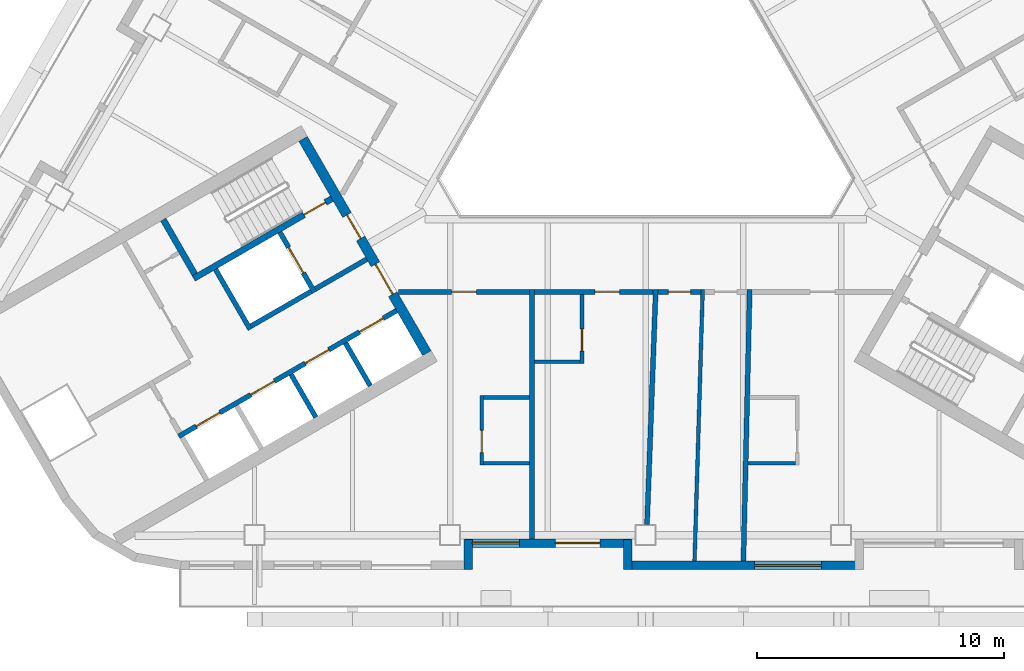
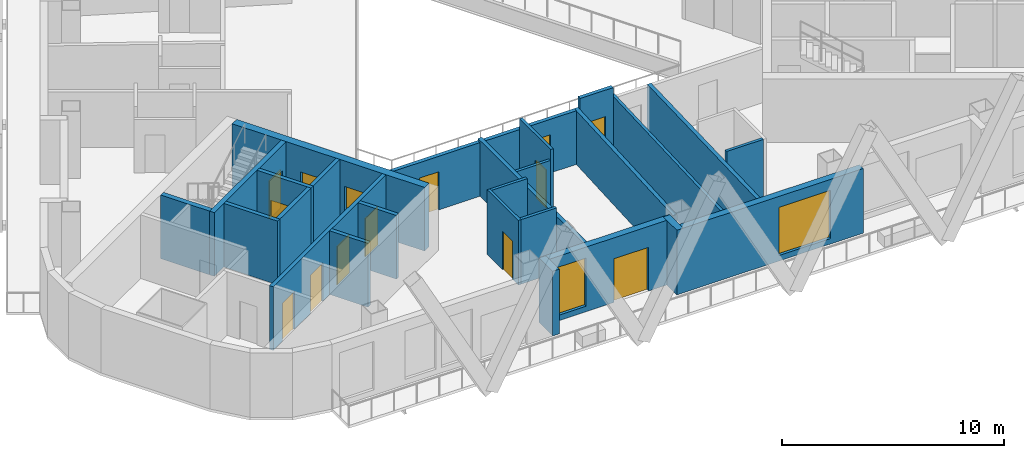
# One storey, part 3 of 14: 27 walls, 14 doors, 2 windows, 16 openings.
"""IFC4 building model written with IfcOpenShell, lengths in metres."""

import ifcopenshell
import ifcopenshell.guid

model = None  # the IFC model being written
_history = None  # IfcOwnerHistory: only IFC2X3 demands one
_inside = {}  # id of a spatial element -> (the spatial element, [elements in it])
_under = {}  # id of a project, library or spatial element -> (it, [spatial elements below it])
_declared = {}  # id of a project -> (the project, [libraries it declares])
_typed = {}  # id of a type object -> (the type object, [elements of that type])
_made_of = {}  # id of a material, layer set ... -> (it, [elements and type objects made of it])


def new_model(schema):
    """Start an empty IFC model of exactly this schema.

    Asked for "IFC4X3", IfcOpenShell would pick the latest addendum, in which some entities
    have other attributes; the version numbers below select the first issue.
    IFC2X3 requires an IfcOwnerHistory on every rooted entity: one is made here for all.
    """
    global model, _history
    if schema == "IFC4X3":
        model = ifcopenshell.file(schema_version=(4, 3, 0, 0))
    else:
        model = ifcopenshell.file(schema=schema)
    _inside.clear()
    _under.clear()
    _declared.clear()
    _typed.clear()
    _made_of.clear()
    _history = None
    if model.schema == "IFC2X3":
        org = make("IfcOrganization", Name="unknown")
        user = make(
            "IfcPersonAndOrganization",
            ThePerson=make("IfcPerson", FamilyName="unknown"),
            TheOrganization=org,
        )
        app = make(
            "IfcApplication",
            ApplicationDeveloper=org,
            Version="unknown",
            ApplicationFullName="unknown",
            ApplicationIdentifier="unknown",
        )
        _history = make(
            "IfcOwnerHistory",
            OwningUser=user,
            OwningApplication=app,
            ChangeAction="ADDED",
            CreationDate=0,
        )
    return model


def make(cls, **values):
    """One entity of the class cls with the attributes given. An attribute that is None is left unset."""
    return model.create_entity(
        cls, **{name: value for name, value in values.items() if value is not None}
    )


def rooted(cls, **values):
    """An entity with a GlobalId (a new one), such as an element, a storey or a relation."""
    return make(cls, GlobalId=ifcopenshell.guid.new(), OwnerHistory=_history, **values)


def si_unit(unit_type, name, prefix=None):
    """IfcSIUnit, for example si_unit("LENGTHUNIT", "METRE", prefix="MILLI")."""
    return make("IfcSIUnit", UnitType=unit_type, Prefix=prefix, Name=name)


def assignment(units):
    """IfcUnitAssignment: the units of a project."""
    return None if units is None else make("IfcUnitAssignment", Units=units)


def point(xyz):
    """IfcCartesianPoint."""
    return None if xyz is None else make("IfcCartesianPoint", Coordinates=xyz)


def direction(xyz):
    """IfcDirection."""
    return None if xyz is None else make("IfcDirection", DirectionRatios=xyz)


def frame(location, z_axis=None, x_axis=None):
    """IfcAxis2Placement3D, a coordinate frame: its origin and axes. An axis left out is left unset."""
    return make(
        "IfcAxis2Placement3D",
        Location=point(location),
        Axis=direction(z_axis),
        RefDirection=direction(x_axis),
    )


def frame_2d(location, x_axis=None):
    """IfcAxis2Placement2D, a coordinate frame in the plane: its origin and x axis."""
    return make(
        "IfcAxis2Placement2D", Location=point(location), RefDirection=direction(x_axis)
    )


def origin():
    """The frame at (0, 0, 0) with its axes left unset."""
    return frame((0.0, 0.0, 0.0))


def place(relative_to, where):
    """IfcLocalPlacement: puts the frame where relative to a parent placement (None: the world)."""
    return make(
        "IfcLocalPlacement", PlacementRelTo=relative_to, RelativePlacement=where
    )


def context(
    kind, dimensions, precision=None, world=None, true_north=None, identifier=None
):
    """IfcGeometricRepresentationContext, for example the 3D "Model" context."""
    return make(
        "IfcGeometricRepresentationContext",
        ContextIdentifier=identifier,
        ContextType=kind,
        CoordinateSpaceDimension=dimensions,
        Precision=precision,
        WorldCoordinateSystem=world,
        TrueNorth=true_north,
    )


def subcontext(parent, identifier, kind, view, scale=None):
    """IfcGeometricRepresentationSubContext, for example "Body" below "Model"."""
    return make(
        "IfcGeometricRepresentationSubContext",
        ContextIdentifier=identifier,
        ContextType=kind,
        ParentContext=parent,
        TargetScale=scale,
        TargetView=view,
    )


def project(units=None, contexts=None):
    """IfcProject with its units and contexts."""
    return rooted(
        "IfcProject",
        Name="project",
        RepresentationContexts=contexts,
        UnitsInContext=assignment(units),
    )


def spatial(cls, under=None, at=None, **own):
    """A site, building, storey or space (cls), placed at a placement, below another one or the project."""
    s = rooted(cls, ObjectPlacement=at, **own)
    if under is not None:
        _under.setdefault(under.id(), (under, []))[1].append(s)
    return s


def profile(cls, at=None, kind="AREA", **sizes):
    """A parametric profile (cls). Its sizes go by their IFC names, for example OverallWidth=200.0."""
    return make(cls, ProfileType=kind, Position=at, **sizes)


def rectangle(**sizes):
    """IfcRectangleProfileDef."""
    return profile("IfcRectangleProfileDef", **sizes)


def extrude(swept, where, along, depth):
    """IfcExtrudedAreaSolid: the profile swept, set in the frame where, extruded along a direction by depth."""
    return make(
        "IfcExtrudedAreaSolid",
        SweptArea=swept,
        Position=where,
        ExtrudedDirection=direction(along),
        Depth=depth,
    )


def shape(context_of_items, identifier, shape_type, items):
    """IfcShapeRepresentation: the items that make up one representation, for example the "Body"."""
    return make(
        "IfcShapeRepresentation",
        ContextOfItems=context_of_items,
        RepresentationIdentifier=identifier,
        RepresentationType=shape_type,
        Items=items,
    )


def material(Name=None, Category=None):
    """IfcMaterial."""
    return make("IfcMaterial", Name=Name, Category=Category)


def layer(
    of_material, thickness, ventilated=None, Name=None, Category=None, Priority=None
):
    """IfcMaterialLayer: one layer of a wall or slab, of a material (None: an air gap)."""
    return make(
        "IfcMaterialLayer",
        Material=of_material,
        LayerThickness=thickness,
        IsVentilated=ventilated,
        Name=Name,
        Category=Category,
        Priority=Priority,
    )


def layer_set(layers, Name=None):
    """IfcMaterialLayerSet."""
    return make("IfcMaterialLayerSet", MaterialLayers=layers, LayerSetName=Name)


def made_of(thing, what):
    """Note that an element or type object is made of a material, layer set ...; save() writes the relation."""
    if what is not None:
        _made_of.setdefault(what.id(), (what, []))[1].append(thing)
    return thing


def type_object(cls, material=None, **own):
    """A type object (cls), such as IfcWallType, which elements share."""
    return made_of(rooted(cls, **own), material)


def element(
    cls,
    number,
    at=None,
    inside=None,
    cuts=None,
    type_object=None,
    material=None,
    context=None,
    identifier="Body",
    shape_type=None,
    held_by="IfcProductDefinitionShape",
    body=None,
    shapes=None,
    **own,
):
    """One element of the class cls, such as IfcWall. Its Tag is "e" and its number.

    at: its placement. inside: the storey or other place that contains it. cuts: it is an
    opening in that element (IfcRelVoidsElement). A single representation is given by context,
    identifier, shape_type and body (its items); several are given by shapes. held_by: the class
    of the entity that holds the representations. save() writes the other relations.
    """
    e = rooted(cls, Tag="e%d" % number, ObjectPlacement=at, **own)
    if body is not None:
        shapes = [shape(context, identifier, shape_type, body)]
    if shapes is not None:
        e.Representation = make(held_by, Representations=shapes)
    if inside is not None:
        _inside.setdefault(inside.id(), (inside, []))[1].append(e)
    if cuts is not None:
        rooted(
            "IfcRelVoidsElement", RelatingBuildingElement=cuts, RelatedOpeningElement=e
        )
    if type_object is not None:
        _typed.setdefault(type_object.id(), (type_object, []))[1].append(e)
    return made_of(e, material)


def fill(opening, filler):
    """IfcRelFillsElement: the door or window that sits in an opening."""
    return rooted(
        "IfcRelFillsElement",
        RelatingOpeningElement=opening,
        RelatedBuildingElement=filler,
    )


def aggregate(whole, parts):
    """IfcRelAggregates: a whole, such as a stair, and the parts it consists of."""
    return rooted("IfcRelAggregates", RelatingObject=whole, RelatedObjects=parts)


def save(model, path):
    """Write the relations noted so far, then the file.

    IfcRelAggregates (storeys below a building ...), IfcRelContainedInSpatialStructure (elements
    in a storey), IfcRelDefinesByType, IfcRelAssociatesMaterial and IfcRelDeclares: one each for
    every whole, place, type object, material and project.
    """
    for whole, parts in _under.values():
        aggregate(whole, parts)
    for where, things in _inside.values():
        rooted(
            "IfcRelContainedInSpatialStructure",
            RelatedElements=things,
            RelatingStructure=where,
        )
    for kind, things in _typed.values():
        rooted("IfcRelDefinesByType", RelatedObjects=things, RelatingType=kind)
    for what, things in _made_of.values():
        rooted("IfcRelAssociatesMaterial", RelatedObjects=things, RelatingMaterial=what)
    for by, libraries in _declared.values():
        rooted("IfcRelDeclares", RelatingContext=by, RelatedDefinitions=libraries)
    model.write(path)


model = new_model("IFC4")

# Units and contexts
model_context = context("Model", 3, precision=1e-05, world=origin(), true_north=direction((0.0, 1.0)))
body_context = subcontext(model_context, "Body", "Model", "MODEL_VIEW")
ifc_project = project(units=[si_unit("LENGTHUNIT", "METRE"), si_unit("AREAUNIT", "SQUARE_METRE"), si_unit("VOLUMEUNIT", "CUBIC_METRE"), si_unit("PLANEANGLEUNIT", "RADIAN"), si_unit("MASSUNIT", "GRAM", prefix="KILO")], contexts=[model_context])

# Site, building, storey
site_placement = place(None, origin())
site = spatial("IfcSite", under=ifc_project, at=site_placement, CompositionType="ELEMENT")
building_placement = place(site_placement, origin())
building = spatial("IfcBuilding", under=site, at=building_placement, Name="Apuvela Tower Hotel", CompositionType="ELEMENT")
storey_placement = place(building_placement, frame((0.0, 0.0, 154.0)))
storey = spatial("IfcBuildingStorey", under=building, at=storey_placement, Name="L36", CompositionType="ELEMENT", Elevation=154.0)

# Wall, openings, doors
ifc_material_1 = material(Name="Concrete C50/60", Category="concrete")
ifc_layer_1 = layer(ifc_material_1, 0.39990234375)
ifc_layer_set_1 = layer_set([ifc_layer_1], Name="COR-WALL-CORE-400")
wall_type_1 = type_object("IfcWallType", Name="COR-WALL-CORE-400", PredefinedType="SHEAR", material=ifc_layer_set_1)
wall_1_placement = place(storey_placement, frame((-13.844970703125, -2.219970703125, 0.0), z_axis=(0.0, 0.0, 1.0), x_axis=(0.500004234368, -0.866022959057, 0.0)))
wall_1 = element("IfcWall", 1, at=wall_1_placement, inside=storey, type_object=wall_type_1, Name="Core wall SW", PredefinedType="SHEAR", context=body_context, shape_type="SweptSolid", body=[
    extrude(rectangle(XDim=10.0, YDim=0.39990234375, at=frame_2d((5.0, 0.0))), origin(), (0.0, 0.0, 1.0), 3.5),
])
opening_1_placement = place(wall_1_placement, frame((3.550048828125, 0.0, 0.0)))
opening_1 = element("IfcOpeningElement", 2, at=opening_1_placement, cuts=wall_1, Name="Opening W-FD", PredefinedType="OPENING", context=body_context, shape_type="SweptSolid", body=[
    extrude(rectangle(XDim=1.10009765625, YDim=2.10009765625, at=frame_2d((0.550048828125, 1.050048828125))), frame((0.0, 0.2099609375, 0.0), z_axis=(0.0, -1.0, 0.0), x_axis=(1.0, 0.0, 0.0)), (0.0, 0.0, 1.0), 0.419921875),
])
opening_2_placement = place(wall_1_placement, frame((5.85009765625, 0.0, 0.0)))
opening_2 = element("IfcOpeningElement", 3, at=opening_2_placement, cuts=wall_1, Name="Opening W-GD", PredefinedType="OPENING", context=body_context, shape_type="SweptSolid", body=[
    extrude(rectangle(XDim=1.39990234375, YDim=2.10009765625, at=frame_2d((0.699951171875, 1.050048828125))), frame((0.0, 0.2099609375, 0.0), z_axis=(0.0, -1.0, 0.0), x_axis=(1.0, 0.0, 0.0)), (0.0, 0.0, 1.0), 0.419921875),
])
ifc_material_2 = material(Name="Steel fire door, powder coated", Category="steel")
door_type_1 = type_object("IfcDoorType", Name="COR-FD-1100", OperationType="NOTDEFINED", PredefinedType="DOOR", material=ifc_material_2)
door_1_placement = place(opening_1_placement, frame((1.10009765625, 0.0, 0.0), z_axis=(0.0, 0.0, 1.0), x_axis=(-1.0, 0.0, 0.0)))
door_1 = element("IfcDoor", 4, at=door_1_placement, inside=storey, type_object=door_type_1, Name="Firefighting lobby door W-FD", OperationType="SINGLE_SWING_LEFT", OverallHeight=2.10009765625, OverallWidth=1.10009765625, PredefinedType="DOOR", context=body_context, shape_type="SweptSolid", body=[
    extrude(rectangle(XDim=1.10009765625, YDim=2.10009765625, at=frame_2d((0.550048828125, 1.050048828125))), frame((0.0, 0.02490234375, 0.0), z_axis=(0.0, -1.0, 0.0), x_axis=(1.0, 0.0, 0.0)), (0.0, 0.0, 1.0), 0.050048828125),
])
fill(opening_1, door_1)
ifc_material_3 = material(Name="Glazed steel fire door", Category="steel")
door_type_2 = type_object("IfcDoorType", Name="COR-GD-1400", OperationType="DOUBLE_DOOR_SINGLE_SWING", PredefinedType="DOOR", material=ifc_material_3)
door_2_placement = place(opening_2_placement, frame((1.39990234375, 0.0, 0.0), z_axis=(0.0, 0.0, 1.0), x_axis=(-1.0, 0.0, 0.0)))
door_2 = element("IfcDoor", 5, at=door_2_placement, inside=storey, type_object=door_type_2, Name="Lift lobby door W-GD", OperationType="DOUBLE_DOOR_SINGLE_SWING", OverallHeight=2.10009765625, OverallWidth=1.39990234375, PredefinedType="DOOR", context=body_context, shape_type="SweptSolid", body=[
    extrude(rectangle(XDim=1.39990234375, YDim=2.10009765625, at=frame_2d((0.699951171875, 1.050048828125))), frame((0.0, 0.02490234375, 0.0), z_axis=(0.0, -1.0, 0.0), x_axis=(1.0, 0.0, 0.0)), (0.0, 0.0, 1.0), 0.050048828125),
])
fill(opening_2, door_2)

# Wall
ifc_layer_2 = layer(ifc_material_1, 0.199951171875)
ifc_layer_set_2 = layer_set([ifc_layer_2], Name="COR-WALL-SHAFT-200")
wall_type_2 = type_object("IfcWallType", Name="COR-WALL-SHAFT-200", PredefinedType="SHEAR", material=ifc_layer_set_2)
wall_2_placement = place(storey_placement, frame((-17.38134765625, -7.49462890625, 0.0), z_axis=(0.0, 0.0, 1.0), x_axis=(0.500011755427, -0.866018616679, 0.0)))
element("IfcWall", 6, at=wall_2_placement, inside=storey, type_object=wall_type_2, Name="Shaft wall SW", PredefinedType="SHEAR", context=body_context, shape_type="SweptSolid", body=[
    extrude(rectangle(XDim=2.80029296875, YDim=0.199951171875, at=frame_2d((1.400146484375, 0.0))), origin(), (0.0, 0.0, 1.0), 3.5),
])

# Wall, opening, door
wall_3_placement = place(storey_placement, frame((-14.783203125, -5.99462890625, 0.0), z_axis=(0.0, 0.0, 1.0), x_axis=(0.49994636267, -0.866056369097, 0.0)))
wall_3 = element("IfcWall", 7, at=wall_3_placement, inside=storey, type_object=wall_type_2, Name="Shaft wall SW", PredefinedType="SHEAR", context=body_context, shape_type="SweptSolid", body=[
    extrude(rectangle(XDim=2.800048828125, YDim=0.199951171875, at=frame_2d((1.39990234375, 0.0))), origin(), (0.0, 0.0, 1.0), 3.5),
])
opening_3_placement = place(wall_3_placement, frame((0.699951171875, 0.0, 0.0)))
opening_3 = element("IfcOpeningElement", 8, at=opening_3_placement, cuts=wall_3, Name="Opening W-LD-FS2", PredefinedType="OPENING", context=body_context, shape_type="SweptSolid", body=[
    extrude(rectangle(XDim=1.199951171875, YDim=2.10009765625, at=frame_2d((0.60009765625, 1.050048828125))), frame((0.0, 0.10986328125, 0.0), z_axis=(0.0, -1.0, 0.0), x_axis=(1.0, 0.0, 0.0)), (0.0, 0.0, 1.0), 0.219970703125),
])
ifc_material_4 = material(Name="Stainless steel lift landing door", Category="steel")
door_type_3 = type_object("IfcDoorType", Name="COR-LD-1200", OperationType="DOUBLE_DOOR_SLIDING", PredefinedType="DOOR", material=ifc_material_4)
door_3_placement = place(opening_3_placement, origin())
door_3 = element("IfcDoor", 9, at=door_3_placement, inside=storey, type_object=door_type_3, Name="Lift landing door W-LD-FS2", OperationType="DOUBLE_DOOR_SLIDING", OverallHeight=2.10009765625, OverallWidth=1.199951171875, PredefinedType="DOOR", context=body_context, shape_type="SweptSolid", body=[
    extrude(rectangle(XDim=1.199951171875, YDim=2.10009765625, at=frame_2d((0.60009765625, 1.050048828125))), frame((0.0, 0.02490234375, 0.0), z_axis=(0.0, -1.0, 0.0), x_axis=(1.0, 0.0, 0.0)), (0.0, 0.0, 1.0), 0.050048828125),
])
fill(opening_3, door_3)

# Walls
wall_4_placement = place(storey_placement, frame((-13.519775390625, -8.383056640625, 0.0), z_axis=(0.0, 0.0, 1.0), x_axis=(-0.866034573852, -0.49998411664, 0.0)))
element("IfcWall", 10, at=wall_4_placement, inside=storey, type_object=wall_type_2, Name="Shaft wall SW", PredefinedType="SHEAR", context=body_context, shape_type="SweptSolid", body=[
    extrude(rectangle(XDim=2.7998046875, YDim=0.199951171875, at=frame_2d((1.39990234375, 0.0))), origin(), (0.0, 0.0, 1.0), 3.5),
])
wall_5_placement = place(storey_placement, frame((-11.26806640625, -7.0830078125, 0.0), z_axis=(0.0, 0.0, 1.0), x_axis=(-0.866050077142, -0.499957262057, 0.0)))
element("IfcWall", 11, at=wall_5_placement, inside=storey, type_object=wall_type_2, Name="Shaft wall SW", PredefinedType="SHEAR", context=body_context, shape_type="SweptSolid", body=[
    extrude(rectangle(XDim=2.400146484375, YDim=0.199951171875, at=frame_2d((1.2001953125, 0.0))), origin(), (0.0, 0.0, 1.0), 3.5),
])

# Wall, openings, doors
wall_6_placement = place(storey_placement, frame((-10.068115234375, -9.16162109375, 0.0), z_axis=(0.0, 0.0, 1.0), x_axis=(-0.866032725843, -0.499987317609, 0.0)))
wall_6 = element("IfcWall", 12, at=wall_6_placement, inside=storey, type_object=wall_type_2, Name="Shaft wall SW", PredefinedType="SHEAR", context=body_context, shape_type="SweptSolid", body=[
    extrude(rectangle(XDim=10.159912109375, YDim=0.199951171875, at=frame_2d((5.080078125, 0.0))), origin(), (0.0, 0.0, 1.0), 3.5),
])
opening_4_placement = place(wall_6_placement, frame((0.6201171875, 0.0, 0.0)))
opening_4 = element("IfcOpeningElement", 13, at=opening_4_placement, cuts=wall_6, Name="Opening W-LD-MR1", PredefinedType="OPENING", context=body_context, shape_type="SweptSolid", body=[
    extrude(rectangle(XDim=1.10009765625, YDim=2.10009765625, at=frame_2d((0.550048828125, 1.050048828125))), frame((0.0, 0.10986328125, 0.0), z_axis=(0.0, -1.0, 0.0), x_axis=(1.0, 0.0, 0.0)), (0.0, 0.0, 1.0), 0.219970703125),
])
opening_5_placement = place(wall_6_placement, frame((3.159912109375, 0.0, 0.0)))
opening_5 = element("IfcOpeningElement", 14, at=opening_5_placement, cuts=wall_6, Name="Opening W-LD-MR2", PredefinedType="OPENING", context=body_context, shape_type="SweptSolid", body=[
    extrude(rectangle(XDim=1.10009765625, YDim=2.10009765625, at=frame_2d((0.550048828125, 1.050048828125))), frame((0.0, 0.10986328125, 0.0), z_axis=(0.0, -1.0, 0.0), x_axis=(1.0, 0.0, 0.0)), (0.0, 0.0, 1.0), 0.219970703125),
])
opening_6_placement = place(wall_6_placement, frame((5.699951171875, 0.0, 0.0)))
opening_6 = element("IfcOpeningElement", 15, at=opening_6_placement, cuts=wall_6, Name="Opening W-LD-MR3", PredefinedType="OPENING", context=body_context, shape_type="SweptSolid", body=[
    extrude(rectangle(XDim=1.10009765625, YDim=2.10009765625, at=frame_2d((0.550048828125, 1.050048828125))), frame((0.0, 0.10986328125, 0.0), z_axis=(0.0, -1.0, 0.0), x_axis=(1.0, 0.0, 0.0)), (0.0, 0.0, 1.0), 0.219970703125),
])
opening_7_placement = place(wall_6_placement, frame((8.239990234375, 0.0, 0.0)))
opening_7 = element("IfcOpeningElement", 16, at=opening_7_placement, cuts=wall_6, Name="Opening W-LD-MR4", PredefinedType="OPENING", context=body_context, shape_type="SweptSolid", body=[
    extrude(rectangle(XDim=1.10009765625, YDim=2.10009765625, at=frame_2d((0.550048828125, 1.050048828125))), frame((0.0, 0.10986328125, 0.0), z_axis=(0.0, -1.0, 0.0), x_axis=(1.0, 0.0, 0.0)), (0.0, 0.0, 1.0), 0.219970703125),
])
door_type_4 = type_object("IfcDoorType", Name="COR-LD-1100", OperationType="DOUBLE_DOOR_SLIDING", PredefinedType="DOOR", material=ifc_material_4)
door_4_placement = place(opening_4_placement, origin())
door_4 = element("IfcDoor", 17, at=door_4_placement, inside=storey, type_object=door_type_4, Name="Lift landing door W-LD-MR1", OperationType="DOUBLE_DOOR_SLIDING", OverallHeight=2.10009765625, OverallWidth=1.10009765625, PredefinedType="DOOR", context=body_context, shape_type="SweptSolid", body=[
    extrude(rectangle(XDim=1.10009765625, YDim=2.10009765625, at=frame_2d((0.550048828125, 1.050048828125))), frame((0.0, 0.02490234375, 0.0), z_axis=(0.0, -1.0, 0.0), x_axis=(1.0, 0.0, 0.0)), (0.0, 0.0, 1.0), 0.050048828125),
])
fill(opening_4, door_4)
door_5_placement = place(opening_5_placement, origin())
door_5 = element("IfcDoor", 18, at=door_5_placement, inside=storey, type_object=door_type_4, Name="Lift landing door W-LD-MR2", OperationType="DOUBLE_DOOR_SLIDING", OverallHeight=2.10009765625, OverallWidth=1.10009765625, PredefinedType="DOOR", context=body_context, shape_type="SweptSolid", body=[
    extrude(rectangle(XDim=1.10009765625, YDim=2.10009765625, at=frame_2d((0.550048828125, 1.050048828125))), frame((0.0, 0.02490234375, 0.0), z_axis=(0.0, -1.0, 0.0), x_axis=(1.0, 0.0, 0.0)), (0.0, 0.0, 1.0), 0.050048828125),
])
fill(opening_5, door_5)
door_6_placement = place(opening_6_placement, origin())
door_6 = element("IfcDoor", 19, at=door_6_placement, inside=storey, type_object=door_type_4, Name="Lift landing door W-LD-MR3", OperationType="DOUBLE_DOOR_SLIDING", OverallHeight=2.10009765625, OverallWidth=1.10009765625, PredefinedType="DOOR", context=body_context, shape_type="SweptSolid", body=[
    extrude(rectangle(XDim=1.10009765625, YDim=2.10009765625, at=frame_2d((0.550048828125, 1.050048828125))), frame((0.0, 0.02490234375, 0.0), z_axis=(0.0, -1.0, 0.0), x_axis=(1.0, 0.0, 0.0)), (0.0, 0.0, 1.0), 0.050048828125),
])
fill(opening_6, door_6)
door_7_placement = place(opening_7_placement, origin())
door_7 = element("IfcDoor", 20, at=door_7_placement, inside=storey, type_object=door_type_4, Name="Lift landing door W-LD-MR4", OperationType="DOUBLE_DOOR_SLIDING", OverallHeight=2.10009765625, OverallWidth=1.10009765625, PredefinedType="DOOR", context=body_context, shape_type="SweptSolid", body=[
    extrude(rectangle(XDim=1.10009765625, YDim=2.10009765625, at=frame_2d((0.550048828125, 1.050048828125))), frame((0.0, 0.02490234375, 0.0), z_axis=(0.0, -1.0, 0.0), x_axis=(1.0, 0.0, 0.0)), (0.0, 0.0, 1.0), 0.050048828125),
])
fill(opening_7, door_7)

# Walls
for number, where, z_axis, x_axis, name in (
    (21, (-12.131103515625, -10.468017578125, 0.0), (0.0, 0.0, 1.0), (0.499972520799, -0.866041268327, 0.0), "Shaft wall SW"),
    (22, (-14.330810546875, -11.738037109375, 0.0), (0.0, 0.0, 1.0), (0.499972520799, -0.866041268327, 0.0), "Shaft wall SW"),
):
    element("IfcWall", number, at=place(storey_placement, frame(where, z_axis=z_axis, x_axis=x_axis)), inside=storey, type_object=wall_type_2, Name=name, PredefinedType="SHEAR", context=body_context, shape_type="SweptSolid", body=[
        extrude(rectangle(XDim=2.0, YDim=0.199951171875, at=frame_2d((1.0, 0.0))), origin(), (0.0, 0.0, 1.0), 3.5),
    ])

# Wall, opening, door
ifc_layer_3 = layer(ifc_material_1, 0.25)
ifc_layer_set_3 = layer_set([ifc_layer_3], Name="COR-WALL-STAIR-250")
wall_type_3 = type_object("IfcWallType", Name="COR-WALL-STAIR-250", PredefinedType="SHEAR", material=ifc_layer_set_3)
wall_7_placement = place(storey_placement, frame((-12.6806640625, -4.636474609375, 0.0), z_axis=(0.0, 0.0, 1.0), x_axis=(-0.866021702275, -0.500006411147, 0.0)))
wall_7 = element("IfcWall", 23, at=wall_7_placement, inside=storey, type_object=wall_type_3, Name="Stair wall SW", PredefinedType="SHEAR", context=body_context, shape_type="SweptSolid", body=[
    extrude(rectangle(XDim=6.4501953125, YDim=0.25, at=frame_2d((3.22509765625, 0.0))), origin(), (0.0, 0.0, 1.0), 3.5),
])
opening_8_placement = place(wall_7_placement, frame((0.300048828125, 0.0, 0.0)))
opening_8 = element("IfcOpeningElement", 24, at=opening_8_placement, cuts=wall_7, Name="Opening W-SD", PredefinedType="OPENING", context=body_context, shape_type="SweptSolid", body=[
    extrude(rectangle(XDim=1.0, YDim=2.10009765625, at=frame_2d((0.5, 1.050048828125))), frame((0.0, 0.135009765625, 0.0), z_axis=(0.0, -1.0, 0.0), x_axis=(1.0, 0.0, 0.0)), (0.0, 0.0, 1.0), 0.27001953125),
])
door_type_5 = type_object("IfcDoorType", Name="COR-SD-1000", OperationType="NOTDEFINED", PredefinedType="DOOR", material=ifc_material_2)
door_8_placement = place(opening_8_placement, frame((1.0, 0.0, 0.0), z_axis=(0.0, 0.0, 1.0), x_axis=(-1.0, 0.0, 0.0)))
door_8 = element("IfcDoor", 25, at=door_8_placement, inside=storey, type_object=door_type_5, Name="Stair door W-SD", OperationType="SINGLE_SWING_LEFT", OverallHeight=2.10009765625, OverallWidth=1.0, PredefinedType="DOOR", context=body_context, shape_type="SweptSolid", body=[
    extrude(rectangle(XDim=1.0, YDim=2.10009765625, at=frame_2d((0.5, 1.050048828125))), frame((0.0, 0.02490234375, 0.0), z_axis=(0.0, -1.0, 0.0), x_axis=(1.0, 0.0, 0.0)), (0.0, 0.0, 1.0), 0.050048828125),
])
fill(opening_8, door_8)

# Walls
wall_8_placement = place(storey_placement, frame((-19.49560546875, -5.482421875, 0.0), z_axis=(0.0, 0.0, 1.0), x_axis=(0.499990435942, -0.866030925526, 0.0)))
element("IfcWall", 26, at=wall_8_placement, inside=storey, type_object=wall_type_3, Name="Stair wall SW", PredefinedType="SHEAR", context=body_context, shape_type="SweptSolid", body=[
    extrude(rectangle(XDim=2.5498046875, YDim=0.25, at=frame_2d((1.27490234375, 0.0))), origin(), (0.0, 0.0, 1.0), 3.5),
])
ifc_material_5 = material(Name="Concrete C40/50, dark pigmented precast panel", Category="concrete")
ifc_layer_4 = layer(ifc_material_5, 0.35009765625)
ifc_layer_set_4 = layer_set([ifc_layer_4], Name="ENV-WALL-350")
wall_type_4 = type_object("IfcWallType", Name="ENV-WALL-350", PredefinedType="SOLIDWALL", material=ifc_layer_set_4)
wall_9_placement = place(storey_placement, frame((-7.175048828125, -19.6298828125, 0.0), z_axis=(0.0, 0.0, 1.0), x_axis=(0.0, 1.0, 0.0)))
element("IfcWall", 27, at=wall_9_placement, inside=storey, type_object=wall_type_4, Name="External wall L36-18", PredefinedType="SOLIDWALL", context=body_context, shape_type="SweptSolid", body=[
    extrude(rectangle(XDim=1.219970703125, YDim=0.35009765625, at=frame_2d((0.60986328125, 0.0))), origin(), (0.0, 0.0, 1.0), 3.550048828125),
])

# Wall, openings, door, window
wall_10_placement = place(storey_placement, frame((-7.320068359375, -18.554931640625, 0.0), z_axis=(0.0, 0.0, 1.0), x_axis=(1.0, 0.0, 0.0)))
wall_10 = element("IfcWall", 28, at=wall_10_placement, inside=storey, type_object=wall_type_4, Name="External wall L36-19", PredefinedType="SOLIDWALL", context=body_context, shape_type="SweptSolid", body=[
    extrude(rectangle(XDim=6.739990234375, YDim=0.35009765625, at=frame_2d((3.3701171875, 0.0))), origin(), (0.0, 0.0, 1.0), 3.550048828125),
])
opening_9_placement = place(wall_10_placement, frame((0.3203125, 0.0, 0.300048828125)))
opening_9 = element("IfcOpeningElement", 29, at=opening_9_placement, cuts=wall_10, Name="Opening WN19", PredefinedType="OPENING", context=body_context, shape_type="SweptSolid", body=[
    extrude(rectangle(XDim=1.89990234375, YDim=2.64990234375, at=frame_2d((0.949951171875, 1.324951171875))), frame((0.0, 0.18505859375, 0.0), z_axis=(0.0, -1.0, 0.0), x_axis=(1.0, 0.0, 0.0)), (0.0, 0.0, 1.0), 0.3701171875),
])
opening_10_placement = place(wall_10_placement, frame((3.669921875, 0.0, 0.0)))
opening_10 = element("IfcOpeningElement", 30, at=opening_10_placement, cuts=wall_10, Name="Opening BD18", PredefinedType="OPENING", context=body_context, shape_type="SweptSolid", body=[
    extrude(rectangle(XDim=1.800048828125, YDim=2.39990234375, at=frame_2d((0.89990234375, 1.199951171875))), frame((0.0, 0.18505859375, 0.0), z_axis=(0.0, -1.0, 0.0), x_axis=(1.0, 0.0, 0.0)), (0.0, 0.0, 1.0), 0.3701171875),
])
ifc_material_6 = material(Name="Aluminium 6063-T6, dark bronze anodised frame with dark tinted laminated glass", Category="aluminium")
door_type_6 = type_object("IfcDoorType", Name="ENV-DOOR-BALCONY-1800x2400", OperationType="SLIDING_TO_LEFT", PredefinedType="DOOR", material=ifc_material_6)
door_9_placement = place(opening_10_placement, frame((1.800048828125, 0.0, 0.0), z_axis=(0.0, 0.0, 1.0), x_axis=(-1.0, 0.0, 0.0)))
door_9 = element("IfcDoor", 31, at=door_9_placement, inside=storey, type_object=door_type_6, Name="Balcony door BD18", OperationType="SLIDING_TO_LEFT", OverallHeight=2.39990234375, OverallWidth=1.800048828125, PredefinedType="DOOR", context=body_context, shape_type="SweptSolid", body=[
    extrude(rectangle(XDim=1.800048828125, YDim=2.39990234375, at=frame_2d((0.89990234375, 1.199951171875))), frame((0.0, 0.02490234375, 0.0), z_axis=(0.0, -1.0, 0.0), x_axis=(1.0, 0.0, 0.0)), (0.0, 0.0, 1.0), 0.050048828125),
])
fill(opening_10, door_9)
ifc_material_7 = material(Name="Glass, dark tinted laminated insulated glazing unit", Category="glass")
window_type_1 = type_object("IfcWindowType", Name="ENV-WIN-1900x2650", PartitioningType="SINGLE_PANEL", PredefinedType="WINDOW", material=ifc_material_7)
window_1_placement = place(opening_9_placement, origin())
window_1 = element("IfcWindow", 32, at=window_1_placement, inside=storey, type_object=window_type_1, Name="Window WN19", OverallHeight=2.64990234375, OverallWidth=1.89990234375, PartitioningType="SINGLE_PANEL", PredefinedType="WINDOW", context=body_context, shape_type="SweptSolid", body=[
    extrude(rectangle(XDim=1.89990234375, YDim=2.64990234375, at=frame_2d((0.949951171875, 1.324951171875))), frame((0.0, 0.030029296875, 0.0), z_axis=(0.0, -1.0, 0.0), x_axis=(1.0, 0.0, 0.0)), (0.0, 0.0, 1.0), 0.06005859375),
])
fill(opening_9, window_1)

# Wall
wall_11_placement = place(storey_placement, frame((-0.72509765625, -18.409912109375, 0.0), z_axis=(0.0, 0.0, 1.0), x_axis=(0.0, -1.0, 0.0)))
element("IfcWall", 33, at=wall_11_placement, inside=storey, type_object=wall_type_4, Name="External wall L36-20", PredefinedType="SOLIDWALL", context=body_context, shape_type="SweptSolid", body=[
    extrude(rectangle(XDim=1.219970703125, YDim=0.35009765625, at=frame_2d((0.60986328125, 0.0))), origin(), (0.0, 0.0, 1.0), 3.550048828125),
])

# Wall, opening, window
wall_12_placement = place(storey_placement, frame((-0.89990234375, -19.455078125, 0.0), z_axis=(0.0, 0.0, 1.0), x_axis=(1.0, 0.0, 0.0)))
wall_12 = element("IfcWall", 34, at=wall_12_placement, inside=storey, type_object=wall_type_4, Name="External wall L36-21", PredefinedType="SOLIDWALL", context=body_context, shape_type="SweptSolid", body=[
    extrude(rectangle(XDim=9.699951171875, YDim=0.35009765625, at=frame_2d((4.85009765625, 0.0))), origin(), (0.0, 0.0, 1.0), 3.550048828125),
])
opening_11_placement = place(wall_12_placement, frame((5.2998046875, 0.0, 0.300048828125)))
opening_11 = element("IfcOpeningElement", 35, at=opening_11_placement, cuts=wall_12, Name="Opening WN27", PredefinedType="OPENING", context=body_context, shape_type="SweptSolid", body=[
    extrude(rectangle(XDim=2.699951171875, YDim=2.64990234375, at=frame_2d((1.35009765625, 1.324951171875))), frame((0.0, 0.18505859375, 0.0), z_axis=(0.0, -1.0, 0.0), x_axis=(1.0, 0.0, 0.0)), (0.0, 0.0, 1.0), 0.3701171875),
])
window_type_2 = type_object("IfcWindowType", Name="ENV-WIN-2700x2650", PartitioningType="SINGLE_PANEL", PredefinedType="WINDOW", material=ifc_material_7)
window_2_placement = place(opening_11_placement, origin())
window_2 = element("IfcWindow", 36, at=window_2_placement, inside=storey, type_object=window_type_2, Name="Window WN27", OverallHeight=2.64990234375, OverallWidth=2.699951171875, PartitioningType="SINGLE_PANEL", PredefinedType="WINDOW", context=body_context, shape_type="SweptSolid", body=[
    extrude(rectangle(XDim=2.699951171875, YDim=2.64990234375, at=frame_2d((1.35009765625, 1.324951171875))), frame((0.0, 0.030029296875, 0.0), z_axis=(0.0, -1.0, 0.0), x_axis=(1.0, 0.0, 0.0)), (0.0, 0.0, 1.0), 0.06005859375),
])
fill(opening_11, window_2)

# Walls
ifc_material_8 = material(Name="Gypsum board partition on twin steel stud", Category="steel")
ifc_layer_5 = layer(ifc_material_8, 0.199951171875)
ifc_layer_set_5 = layer_set([ifc_layer_5], Name="GST-PW1")
wall_type_5 = type_object("IfcWallType", Name="GST-PW1", PredefinedType="PARTITIONING", material=ifc_layer_set_5)
wall_13_placement = place(storey_placement, frame((-4.60009765625, -18.3798828125, 0.0), z_axis=(0.0, 0.0, 1.0), x_axis=(0.0, 1.0, 0.0)))
element("IfcWall", 37, at=wall_13_placement, inside=storey, type_object=wall_type_5, Name="L36 partition 01", PredefinedType="PARTITIONING", context=body_context, shape_type="SweptSolid", body=[
    extrude(rectangle(XDim=10.079833984375, YDim=0.199951171875, at=frame_2d((5.0400390625, 0.0))), origin(), (0.0, 0.0, 1.0), 3.06005859375),
])
wall_14_placement = place(storey_placement, frame((0.0546875, -17.804931640625, 0.0), z_axis=(0.0, 0.0, 1.0), x_axis=(0.037090458059, 0.999311912228, 0.0)))
element("IfcWall", 38, at=wall_14_placement, inside=storey, type_object=wall_type_5, Name="L36 partition 02", PredefinedType="PARTITIONING", context=body_context, shape_type="SweptSolid", body=[
    extrude(rectangle(XDim=9.511474609375, YDim=0.199951171875, at=frame_2d((4.755859375, 0.0))), origin(), (0.0, 0.0, 1.0), 2.949951171875),
])
wall_15_placement = place(storey_placement, frame((3.949951171875, -19.280029296875, 0.0), z_axis=(0.0, 0.0, 1.0), x_axis=(0.023184943176, 0.999731193076, 0.0)))
element("IfcWall", 39, at=wall_15_placement, inside=storey, type_object=wall_type_5, Name="L36 partition 03", PredefinedType="PARTITIONING", context=body_context, shape_type="SweptSolid", body=[
    extrude(rectangle(XDim=10.98291015625, YDim=0.199951171875, at=frame_2d((5.491455078125, 0.0))), origin(), (0.0, 0.0, 1.0), 2.949951171875),
])

# Wall, opening, door
ifc_material_9 = material(Name="Gypsum board corridor wall on twin steel stud, acoustic", Category="steel")
ifc_layer_6 = layer(ifc_material_9, 0.199951171875)
ifc_layer_set_6 = layer_set([ifc_layer_6], Name="GST-PW2")
wall_type_6 = type_object("IfcWallType", Name="GST-PW2", PredefinedType="PARTITIONING", material=ifc_layer_set_6)
wall_16_placement = place(storey_placement, frame((-4.699951171875, -8.39990234375, 0.0), z_axis=(0.0, 0.0, 1.0), x_axis=(-1.0, 0.0, 0.0)))
wall_16 = element("IfcWall", 40, at=wall_16_placement, inside=storey, type_object=wall_type_6, Name="L36 partition 10", PredefinedType="PARTITIONING", context=body_context, shape_type="SweptSolid", body=[
    extrude(rectangle(XDim=5.288330078125, YDim=0.199951171875, at=frame_2d((2.64404296875, 0.0))), origin(), (0.0, 0.0, 1.0), 2.949951171875),
])
opening_12_placement = place(wall_16_placement, frame((2.14404296875, 0.0, 0.0)))
opening_12 = element("IfcOpeningElement", 41, at=opening_12_placement, cuts=wall_16, Name="Opening GD13-02", PredefinedType="OPENING", context=body_context, shape_type="SweptSolid", body=[
    extrude(rectangle(XDim=1.0, YDim=2.10009765625, at=frame_2d((0.5, 1.050048828125))), frame((0.0, 0.10986328125, 0.0), z_axis=(0.0, -1.0, 0.0), x_axis=(1.0, 0.0, 0.0)), (0.0, 0.0, 1.0), 0.219970703125),
])
ifc_material_10 = material(Name="Timber door leaf in steel frame", Category="steel")
door_type_7 = type_object("IfcDoorType", Name="GST-D1", OperationType="NOTDEFINED", PredefinedType="DOOR", material=ifc_material_10)
door_10_placement = place(opening_12_placement, origin())
door_10 = element("IfcDoor", 42, at=door_10_placement, inside=storey, type_object=door_type_7, Name="Door L36-02", OperationType="SINGLE_SWING_LEFT", OverallHeight=2.10009765625, OverallWidth=1.0, PredefinedType="DOOR", context=body_context, shape_type="SweptSolid", body=[
    extrude(rectangle(XDim=1.0, YDim=2.10009765625, at=frame_2d((0.5, 1.050048828125))), frame((0.0, 0.02490234375, 0.0), z_axis=(0.0, -1.0, 0.0), x_axis=(1.0, 0.0, 0.0)), (0.0, 0.0, 1.0), 0.050048828125),
])
fill(opening_12, door_10)

wall_17_placement = place(storey_placement, frame((0.3037109375, -8.39990234375, 0.0), z_axis=(0.0, 0.0, 1.0), x_axis=(-1.0, 0.0, 0.0)))
wall_17 = element("IfcWall", 43, at=wall_17_placement, inside=storey, type_object=wall_type_6, Name="L36 partition 14", PredefinedType="PARTITIONING", context=body_context, shape_type="SweptSolid", body=[
    extrude(rectangle(XDim=4.8037109375, YDim=0.199951171875, at=frame_2d((2.40185546875, 0.0))), origin(), (0.0, 0.0, 1.0), 2.949951171875),
])
opening_13_placement = place(wall_17_placement, frame((1.353515625, 0.0, 0.0)))
opening_13 = element("IfcOpeningElement", 44, at=opening_13_placement, cuts=wall_17, Name="Opening GD13-04", PredefinedType="OPENING", context=body_context, shape_type="SweptSolid", body=[
    extrude(rectangle(XDim=1.0, YDim=2.10009765625, at=frame_2d((0.5, 1.050048828125))), frame((0.0, 0.10986328125, 0.0), z_axis=(0.0, -1.0, 0.0), x_axis=(1.0, 0.0, 0.0)), (0.0, 0.0, 1.0), 0.219970703125),
])
door_11_placement = place(opening_13_placement, origin())
door_11 = element("IfcDoor", 45, at=door_11_placement, inside=storey, type_object=door_type_7, Name="Door L36-04", OperationType="SINGLE_SWING_LEFT", OverallHeight=2.10009765625, OverallWidth=1.0, PredefinedType="DOOR", context=body_context, shape_type="SweptSolid", body=[
    extrude(rectangle(XDim=1.0, YDim=2.10009765625, at=frame_2d((0.5, 1.050048828125))), frame((0.0, 0.02490234375, 0.0), z_axis=(0.0, -1.0, 0.0), x_axis=(1.0, 0.0, 0.0)), (0.0, 0.0, 1.0), 0.050048828125),
])
fill(opening_13, door_11)

wall_18_placement = place(storey_placement, frame((2.22802734375, -8.39990234375, 0.0), z_axis=(0.0, 0.0, 1.0), x_axis=(-1.0, 0.0, 0.0)))
wall_18 = element("IfcWall", 46, at=wall_18_placement, inside=storey, type_object=wall_type_6, Name="L36 partition 18", PredefinedType="PARTITIONING", context=body_context, shape_type="SweptSolid", body=[
    extrude(rectangle(XDim=1.72412109375, YDim=0.199951171875, at=frame_2d((0.862060546875, 0.0))), origin(), (0.0, 0.0, 1.0), 3.550048828125),
])
opening_14_placement = place(wall_18_placement, frame((0.412109375, 0.0, 0.0)))
opening_14 = element("IfcOpeningElement", 47, at=opening_14_placement, cuts=wall_18, Name="Opening GD13-05", PredefinedType="OPENING", context=body_context, shape_type="SweptSolid", body=[
    extrude(rectangle(XDim=0.89990234375, YDim=2.10009765625, at=frame_2d((0.449951171875, 1.050048828125))), frame((0.0, 0.10986328125, 0.0), z_axis=(0.0, -1.0, 0.0), x_axis=(1.0, 0.0, 0.0)), (0.0, 0.0, 1.0), 0.219970703125),
])
door_type_8 = type_object("IfcDoorType", Name="GST-D2", OperationType="NOTDEFINED", PredefinedType="DOOR", material=ifc_material_10)
door_12_placement = place(opening_14_placement, origin())
door_12 = element("IfcDoor", 48, at=door_12_placement, inside=storey, type_object=door_type_8, Name="Door L36-05", OperationType="SINGLE_SWING_LEFT", OverallHeight=2.10009765625, OverallWidth=0.89990234375, PredefinedType="DOOR", context=body_context, shape_type="SweptSolid", body=[
    extrude(rectangle(XDim=0.89990234375, YDim=2.10009765625, at=frame_2d((0.449951171875, 1.050048828125))), frame((0.0, 0.02490234375, 0.0), z_axis=(0.0, -1.0, 0.0), x_axis=(1.0, 0.0, 0.0)), (0.0, 0.0, 1.0), 0.050048828125),
])
fill(opening_14, door_12)

ifc_material_11 = material(Name="Moisture-resistant gypsum board wet wall on steel stud", Category="steel")
ifc_layer_7 = layer(ifc_material_11, 0.14990234375)
ifc_layer_set_7 = layer_set([ifc_layer_7], Name="GST-PW3")
wall_type_7 = type_object("IfcWallType", Name="GST-PW3", PredefinedType="PARTITIONING", material=ifc_layer_set_7)
wall_19_placement = place(storey_placement, frame((-6.625, -12.60009765625, 0.0), z_axis=(0.0, 0.0, 1.0), x_axis=(0.0, -1.0, 0.0)))
wall_19 = element("IfcWall", 49, at=wall_19_placement, inside=storey, type_object=wall_type_7, Name="L36 partition 11", PredefinedType="PARTITIONING", context=body_context, shape_type="SweptSolid", body=[
    extrude(rectangle(XDim=2.7998046875, YDim=0.14990234375, at=frame_2d((1.39990234375, 0.0))), origin(), (0.0, 0.0, 1.0), 3.550048828125),
])
opening_15_placement = place(wall_19_placement, frame((1.39990234375, 0.0, 0.0)))
opening_15 = element("IfcOpeningElement", 50, at=opening_15_placement, cuts=wall_19, Name="Opening GD13-01", PredefinedType="OPENING", context=body_context, shape_type="SweptSolid", body=[
    extrude(rectangle(XDim=0.89990234375, YDim=2.10009765625, at=frame_2d((0.449951171875, 1.050048828125))), frame((0.0, 0.0849609375, 0.0), z_axis=(0.0, -1.0, 0.0), x_axis=(1.0, 0.0, 0.0)), (0.0, 0.0, 1.0), 0.169921875),
])
door_13_placement = place(opening_15_placement, origin())
door_13 = element("IfcDoor", 51, at=door_13_placement, inside=storey, type_object=door_type_8, Name="Door L36-01", OperationType="SINGLE_SWING_RIGHT", OverallHeight=2.10009765625, OverallWidth=0.89990234375, PredefinedType="DOOR", context=body_context, shape_type="SweptSolid", body=[
    extrude(rectangle(XDim=0.89990234375, YDim=2.10009765625, at=frame_2d((0.449951171875, 1.050048828125))), frame((0.0, 0.02490234375, 0.0), z_axis=(0.0, -1.0, 0.0), x_axis=(1.0, 0.0, 0.0)), (0.0, 0.0, 1.0), 0.050048828125),
])
fill(opening_15, door_13)

# Walls
for number, where, z_axis, x_axis, name in (
    (52, (-6.550048828125, -15.324951171875, 0.0), (0.0, 0.0, 1.0), (1.0, 0.0, 0.0), "L36 partition 12"),
    (53, (-6.550048828125, -12.675048828125, 0.0), (0.0, 0.0, 1.0), (1.0, 0.0, 0.0), "L36 partition 13"),
):
    element("IfcWall", number, at=place(storey_placement, frame(where, z_axis=z_axis, x_axis=x_axis)), inside=storey, type_object=wall_type_7, Name=name, PredefinedType="PARTITIONING", context=body_context, shape_type="SweptSolid", body=[
        extrude(rectangle(XDim=1.85009765625, YDim=0.14990234375, at=frame_2d((0.925048828125, 0.0))), origin(), (0.0, 0.0, 1.0), 3.550048828125),
    ])

# Wall, opening, door
wall_20_placement = place(storey_placement, frame((-2.574951171875, -11.300048828125, 0.0), z_axis=(0.0, 0.0, 1.0), x_axis=(0.0, 1.0, 0.0)))
wall_20 = element("IfcWall", 54, at=wall_20_placement, inside=storey, type_object=wall_type_7, Name="L36 partition 15", PredefinedType="PARTITIONING", context=body_context, shape_type="SweptSolid", body=[
    extrude(rectangle(XDim=2.800048828125, YDim=0.14990234375, at=frame_2d((1.39990234375, 0.0))), origin(), (0.0, 0.0, 1.0), 3.550048828125),
])
opening_16_placement = place(wall_20_placement, frame((0.5, 0.0, 0.0)))
opening_16 = element("IfcOpeningElement", 55, at=opening_16_placement, cuts=wall_20, Name="Opening GD13-03", PredefinedType="OPENING", context=body_context, shape_type="SweptSolid", body=[
    extrude(rectangle(XDim=0.89990234375, YDim=2.10009765625, at=frame_2d((0.449951171875, 1.050048828125))), frame((0.0, 0.0849609375, 0.0), z_axis=(0.0, -1.0, 0.0), x_axis=(1.0, 0.0, 0.0)), (0.0, 0.0, 1.0), 0.169921875),
])
door_14_placement = place(opening_16_placement, origin())
door_14 = element("IfcDoor", 56, at=door_14_placement, inside=storey, type_object=door_type_8, Name="Door L36-03", OperationType="SINGLE_SWING_LEFT", OverallHeight=2.10009765625, OverallWidth=0.89990234375, PredefinedType="DOOR", context=body_context, shape_type="SweptSolid", body=[
    extrude(rectangle(XDim=0.89990234375, YDim=2.10009765625, at=frame_2d((0.449951171875, 1.050048828125))), frame((0.0, 0.02490234375, 0.0), z_axis=(0.0, -1.0, 0.0), x_axis=(1.0, 0.0, 0.0)), (0.0, 0.0, 1.0), 0.050048828125),
])
fill(opening_16, door_14)

# Walls
wall_21_placement = place(storey_placement, frame((-4.5, -11.22509765625, 0.0), z_axis=(0.0, 0.0, 1.0), x_axis=(1.0, 0.0, 0.0)))
element("IfcWall", 57, at=wall_21_placement, inside=storey, type_object=wall_type_7, Name="L36 partition 16", PredefinedType="PARTITIONING", context=body_context, shape_type="SweptSolid", body=[
    extrude(rectangle(XDim=1.85009765625, YDim=0.14990234375, at=frame_2d((0.925048828125, 0.0))), origin(), (0.0, 0.0, 1.0), 2.949951171875),
])
wall_22_placement = place(storey_placement, frame((1.97509765625, -19.280029296875, 0.0), z_axis=(0.0, 0.0, 1.0), x_axis=(0.030114853757, 0.999546444935, 0.0)))
element("IfcWall", 58, at=wall_22_placement, inside=storey, type_object=wall_type_7, Name="L36 partition 17", PredefinedType="PARTITIONING", context=body_context, shape_type="SweptSolid", body=[
    extrude(rectangle(XDim=10.98486328125, YDim=0.14990234375, at=frame_2d((5.492431640625, 0.0))), origin(), (0.0, 0.0, 1.0), 3.06005859375),
])
wall_23_placement = place(storey_placement, frame((4.1416015625, -15.324951171875, 0.0), z_axis=(0.0, 0.0, 1.0), x_axis=(1.0, 0.0, 0.0)))
element("IfcWall", 59, at=wall_23_placement, inside=storey, type_object=wall_type_7, Name="L36 partition 22", PredefinedType="PARTITIONING", context=body_context, shape_type="SweptSolid", body=[
    extrude(rectangle(XDim=1.913330078125, YDim=0.14990234375, at=frame_2d((0.95654296875, 0.0))), origin(), (0.0, 0.0, 1.0), 3.550048828125),
])

save(model, "model.ifc")
